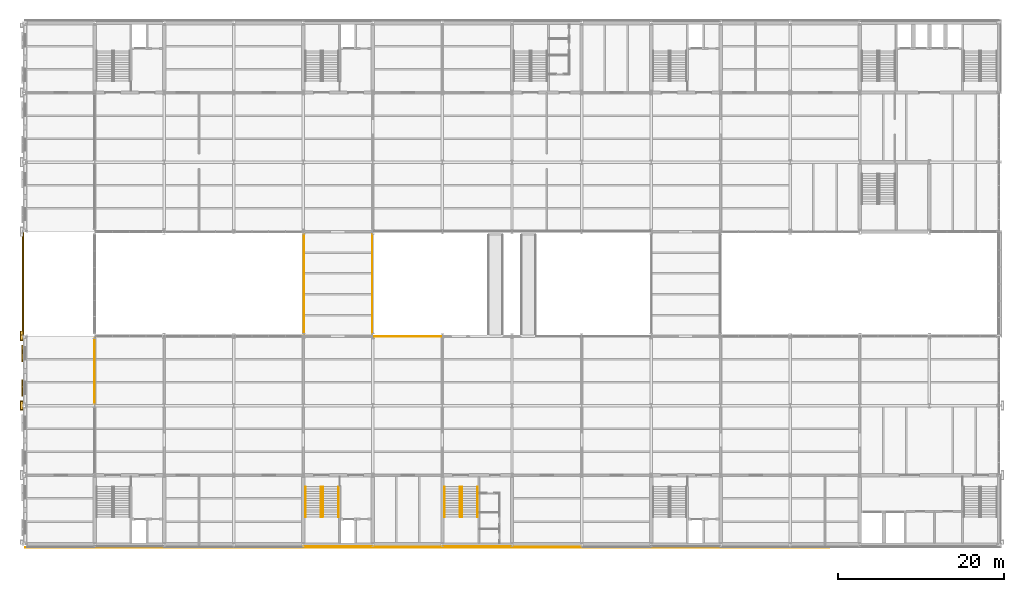
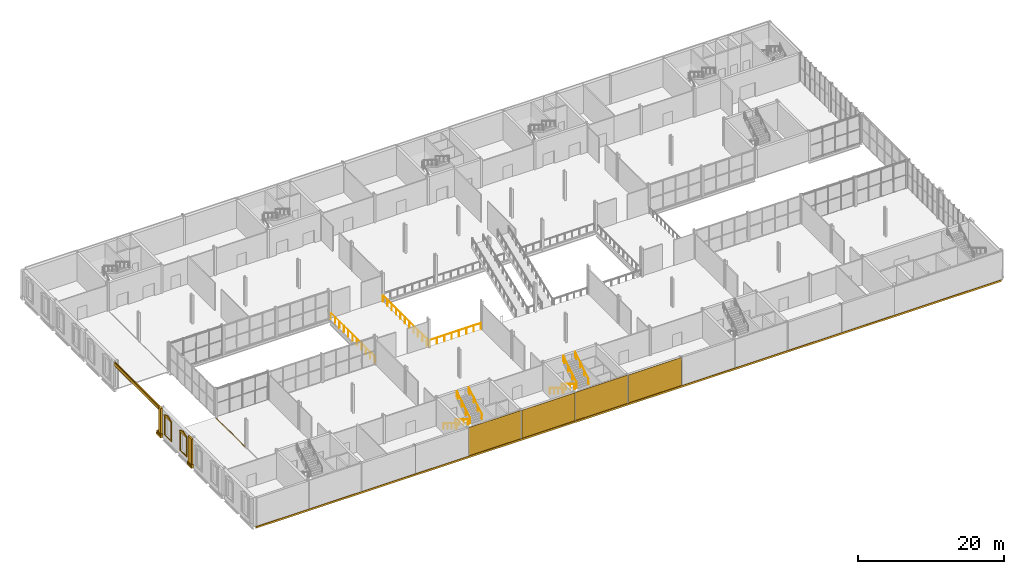
# One storey, part 46 of 61: 15 coverings, 11 railings.
"""IFC4 building model written with IfcOpenShell, lengths in metres."""

from ifc_helpers import new_model, si_unit, direction, frame, origin, origin_2d, place, context, subcontext, project, spatial, polyline, rectangle, circle, outline, extrude, material, layer, layer_set, type_object, element, save


model = new_model("IFC4")

# Units and contexts
model_context = context("Model", 3, precision=1e-05, world=origin(), true_north=direction((0.0, 1.0)))
body_context = subcontext(model_context, "Body", "Model", "MODEL_VIEW")
ifc_project = project(units=[si_unit("LENGTHUNIT", "METRE"), si_unit("AREAUNIT", "SQUARE_METRE"), si_unit("VOLUMEUNIT", "CUBIC_METRE"), si_unit("PLANEANGLEUNIT", "RADIAN"), si_unit("MASSUNIT", "GRAM", prefix="KILO")], contexts=[model_context])

# Site, building, storey
site_placement = place(None, origin())
site = spatial("IfcSite", under=ifc_project, at=site_placement, CompositionType="ELEMENT")
building_placement = place(site_placement, origin())
building = spatial("IfcBuilding", under=site, at=building_placement, Name="Galleria Vessillo Department Store", CompositionType="ELEMENT")
storey_placement = place(building_placement, frame((0.0, 0.0, 11.39990234375)))
storey = spatial("IfcBuildingStorey", under=building, at=storey_placement, Name="L02", CompositionType="ELEMENT", Elevation=11.39990234375)

# Railings
ifc_material_1 = material(Name="Stainless steel tube", Category="steel")
railing_type_1 = type_object("IfcRailingType", Name="Atrium edge guard 1100 mm", PredefinedType="GUARDRAIL", material=ifc_material_1)
railing_placement = place(storey_placement, frame((42.152587890625, 25.119873046875, 0.0)))
element("IfcRailing", 1, at=railing_placement, inside=storey, type_object=railing_type_1, Name="Atrium edge guard L02-01", PredefinedType="GUARDRAIL", context=body_context, shape_type="SweptSolid", body=[
    extrude(circle(Radius=0.02392578125, at=origin_2d()), frame((0.0, 0.0, 1.076171875), z_axis=(1.0, 0.0, 0.0), x_axis=(0.0, 1.0, 0.0)), (0.0, 0.0, 1.0), 8.094482421875),
    extrude(circle(Radius=0.02099609375, at=origin_2d()), origin(), (0.0, 0.0, 1.0), 1.052001953125),
    extrude(circle(Radius=0.02099609375, at=origin_2d()), frame((1.15625, 0.0, 0.0)), (0.0, 0.0, 1.0), 1.052001953125),
    extrude(circle(Radius=0.02099609375, at=origin_2d()), frame((2.312744140625, 0.0, 0.0)), (0.0, 0.0, 1.0), 1.052001953125),
    extrude(circle(Radius=0.02099609375, at=origin_2d()), frame((3.468994140625, 0.0, 0.0)), (0.0, 0.0, 1.0), 1.052001953125),
    extrude(circle(Radius=0.02099609375, at=origin_2d()), frame((4.62548828125, 0.0, 0.0)), (0.0, 0.0, 1.0), 1.052001953125),
    extrude(circle(Radius=0.02099609375, at=origin_2d()), frame((5.78173828125, 0.0, 0.0)), (0.0, 0.0, 1.0), 1.052001953125),
    extrude(circle(Radius=0.02099609375, at=origin_2d()), frame((6.938232421875, 0.0, 0.0)), (0.0, 0.0, 1.0), 1.052001953125),
    extrude(circle(Radius=0.02099609375, at=origin_2d()), frame((8.094482421875, 0.0, 0.0)), (0.0, 0.0, 1.0), 1.052001953125),
])
for number, where, name in (
    (2, (33.68017578125, 25.510009765625, 0.0), "Atrium edge guard L02-12"),
    (3, (41.919921875, 25.510009765625, 0.0), "Atrium edge guard L02-13"),
):
    element("IfcRailing", number, at=place(storey_placement, frame(where)), inside=storey, type_object=railing_type_1, Name=name, PredefinedType="GUARDRAIL", context=body_context, shape_type="SweptSolid", body=[
        extrude(circle(Radius=0.02392578125, at=origin_2d()), frame((0.0, 0.0, 1.076171875), z_axis=(0.0, 1.0, 0.0), x_axis=(-1.0, 0.0, 0.0)), (0.0, 0.0, 1.0), 11.97998046875),
        extrude(circle(Radius=0.02099609375, at=origin_2d()), origin(), (0.0, 0.0, 1.0), 1.052001953125),
        extrude(circle(Radius=0.02099609375, at=origin_2d()), frame((0.0, 1.197998046875, 0.0)), (0.0, 0.0, 1.0), 1.052001953125),
        extrude(circle(Radius=0.02099609375, at=origin_2d()), frame((0.0, 2.39599609375, 0.0)), (0.0, 0.0, 1.0), 1.052001953125),
        extrude(circle(Radius=0.02099609375, at=origin_2d()), frame((0.0, 3.593994140625, 0.0)), (0.0, 0.0, 1.0), 1.052001953125),
        extrude(circle(Radius=0.02099609375, at=origin_2d()), frame((0.0, 4.7919921875, 0.0)), (0.0, 0.0, 1.0), 1.052001953125),
        extrude(circle(Radius=0.02099609375, at=origin_2d()), frame((0.0, 5.989990234375, 0.0)), (0.0, 0.0, 1.0), 1.052001953125),
        extrude(circle(Radius=0.02099609375, at=origin_2d()), frame((0.0, 7.18798828125, 0.0)), (0.0, 0.0, 1.0), 1.052001953125),
        extrude(circle(Radius=0.02099609375, at=origin_2d()), frame((0.0, 8.385986328125, 0.0)), (0.0, 0.0, 1.0), 1.052001953125),
        extrude(circle(Radius=0.02099609375, at=origin_2d()), frame((0.0, 9.583984375, 0.0)), (0.0, 0.0, 1.0), 1.052001953125),
        extrude(circle(Radius=0.02099609375, at=origin_2d()), frame((0.0, 10.781982421875, 0.0)), (0.0, 0.0, 1.0), 1.052001953125),
        extrude(circle(Radius=0.02099609375, at=origin_2d()), frame((0.0, 11.97998046875, 0.0)), (0.0, 0.0, 1.0), 1.052001953125),
    ])

# Coverings
ifc_material_2 = material(Name="Lime plaster (intonaco) ochre")
ifc_layer_1 = layer(ifc_material_2, 0.030029296875)
ifc_layer_set_1 = layer_set([ifc_layer_1], Name="Lime plaster (intonaco) ochre")
covering_type_1 = type_object("IfcCoveringType", Name="Lime plaster render 30 mm", PredefinedType="CLADDING", material=ifc_layer_set_1)
covering_1_placement = place(storey_placement, frame((37.800048828125, -0.215087890625, 0.0), z_axis=(0.0, 0.0, 1.0), x_axis=(1.0, 0.0, 0.0)))
element("IfcCovering", 4, at=covering_1_placement, inside=storey, type_object=covering_type_1, Name="Wall cladding S-CW-PC-SM-PARTY-L02", PredefinedType="CLADDING", context=body_context, shape_type="SweptSolid", body=[
    extrude(rectangle(XDim=8.33984375, YDim=0.030029296875, at=origin_2d()), origin(), (0.0, 0.0, 1.0), 4.800048828125),
])
for number, where, z_axis, x_axis, name in (
    (5, (46.199951171875, -0.264892578125, 0.0), (0.0, 0.0, 1.0), (1.0, 0.0, 0.0), "Wall cladding S-PS-L02-04"),
    (6, (54.599853515625, -0.215087890625, 0.0), (0.0, 0.0, 1.0), (1.0, 0.0, 0.0), "Wall cladding S-CW-PC-SC-PARTY-L02"),
    (7, (63.0, -0.264892578125, 0.0), (0.0, 0.0, 1.0), (1.0, 0.0, 0.0), "Wall cladding S-PS-L02-05"),
):
    element("IfcCovering", number, at=place(storey_placement, frame(where, z_axis=z_axis, x_axis=x_axis)), inside=storey, type_object=covering_type_1, Name=name, PredefinedType="CLADDING", context=body_context, shape_type="SweptSolid", body=[
        extrude(rectangle(XDim=8.340087890625, YDim=0.030029296875, at=origin_2d()), origin(), (0.0, 0.0, 1.0), 4.800048828125),
    ])
ifc_material_3 = material(Name="Botticino limestone ashlar", Category="masonry")
ifc_layer_2 = layer(ifc_material_3, 0.080078125)
ifc_layer_set_2 = layer_set([ifc_layer_2], Name="Botticino limestone ashlar")
covering_type_2 = type_object("IfcCoveringType", Name="Limestone flank string course 300 x 80", PredefinedType="MOLDING", material=ifc_layer_set_2)
covering_2_placement = place(storey_placement, frame((117.60009765625, 0.0, -0.14990234375), z_axis=(-1.0, 0.0, 0.0), x_axis=(0.0, -1.0, 0.0)))
element("IfcCovering", 8, at=covering_2_placement, inside=storey, type_object=covering_type_2, Name="Flank string course S L02", PredefinedType="MOLDING", context=body_context, shape_type="SweptSolid", body=[
    extrude(outline(polyline([(0.280029296875, 0.0), (0.360107421875, 0.0), (0.360107421875, 0.300048828125), (0.280029296875, 0.300048828125), (0.280029296875, 0.0)])), origin(), (0.0, 0.0, 1.0), 117.60009765625),
])
ifc_material_4 = material(Name="Botticino limestone ashlar", Category="masonry")
ifc_layer_3 = layer(ifc_material_4, 0.280029296875)
ifc_layer_set_3 = layer_set([ifc_layer_3], Name="Botticino limestone ashlar")
covering_type_3 = type_object("IfcCoveringType", Name="Limestone giant pilaster 1000 x 280", PredefinedType="CLADDING", material=ifc_layer_set_3)
covering_3_placement = place(storey_placement, frame((-0.389892578125, 16.800048828125, 0.60009765625), z_axis=(0.0, 0.0, 1.0), x_axis=(1.0, 0.0, 0.0)))
element("IfcCovering", 9, at=covering_3_placement, inside=storey, type_object=covering_type_3, Name="Giant pilaster W L02 y=16.8", PredefinedType="CLADDING", context=body_context, shape_type="SweptSolid", body=[
    extrude(rectangle(XDim=0.280029296875, YDim=1.0, at=origin_2d()), origin(), (0.0, 0.0, 1.0), 4.199951171875),
])
covering_4_placement = place(storey_placement, frame((-0.389892578125, 25.02490234375, 0.60009765625), z_axis=(0.0, 0.0, 1.0), x_axis=(1.0, 0.0, 0.0)))
element("IfcCovering", 10, at=covering_4_placement, inside=storey, type_object=covering_type_3, Name="Giant pilaster W L02 y=25.2", PredefinedType="CLADDING", context=body_context, shape_type="SweptSolid", body=[
    extrude(rectangle(XDim=0.280029296875, YDim=0.64990234375, at=origin_2d()), origin(), (0.0, 0.0, 1.0), 4.199951171875),
])
ifc_material_5 = material(Name="Botticino limestone ashlar", Category="masonry")
ifc_layer_4 = layer(ifc_material_5, 0.360107421875)
ifc_layer_set_4 = layer_set([ifc_layer_4], Name="Botticino limestone ashlar")
covering_type_4 = type_object("IfcCoveringType", Name="Limestone pilaster base 1200 x 360 x 600", PredefinedType="CLADDING", material=ifc_layer_set_4)
for number, where, z_axis, x_axis, name in (
    (11, (0.0, 16.199951171875, 0.0), (0.0, 1.0, 0.0), (-1.0, 0.0, 0.0), "Pilaster base W y=16.8"),
    (12, (0.0, 24.599853515625, 0.0), (0.0, 1.0, 0.0), (-1.0, 0.0, 0.0), "Pilaster base W y=25.2"),
):
    element("IfcCovering", number, at=place(storey_placement, frame(where, z_axis=z_axis, x_axis=x_axis)), inside=storey, type_object=covering_type_4, Name=name, PredefinedType="CLADDING", context=body_context, shape_type="SweptSolid", body=[
        extrude(outline(polyline([(0.25, 0.0), (0.610107421875, 0.0), (0.610107421875, 0.280029296875), (0.56005859375, 0.340087890625), (0.56005859375, 0.52001953125), (0.530029296875, 0.60009765625), (0.25, 0.60009765625), (0.25, 0.0)])), origin(), (0.0, 0.0, 1.0), 1.199951171875),
    ])
ifc_material_6 = material(Name="Botticino limestone ashlar", Category="masonry")
ifc_layer_5 = layer(ifc_material_6, 0.179931640625)
ifc_layer_set_5 = layer_set([ifc_layer_5], Name="Botticino limestone ashlar")
covering_type_5 = type_object("IfcCoveringType", Name="Limestone portal head architrave 180 x 720", PredefinedType="MOLDING", material=ifc_layer_set_5)
covering_5_placement = place(storey_placement, frame((0.0, 25.207275390625, 3.934326171875), z_axis=(0.0, 1.0, 0.0), x_axis=(-1.0, 0.0, 0.0)))
element("IfcCovering", 13, at=covering_5_placement, inside=storey, type_object=covering_type_5, Name="Portal head architrave west", PredefinedType="MOLDING", context=body_context, shape_type="SweptSolid", body=[
    extrude(outline(polyline([(0.152099609375, 0.0), (0.2919921875, 0.0), (0.2919921875, 0.06005859375), (0.33203125, 0.1201171875), (0.33203125, 0.575927734375), (0.2919921875, 0.635986328125), (0.2919921875, 0.716064453125), (0.152099609375, 0.716064453125), (0.152099609375, 0.0)])), origin(), (0.0, 0.0, 1.0), 12.58544921875),
])
ifc_material_7 = material(Name="Botticino limestone ashlar", Category="masonry")
ifc_layer_6 = layer(ifc_material_7, 0.14990234375)
ifc_layer_set_6 = layer_set([ifc_layer_6], Name="Botticino limestone ashlar")
covering_type_6 = type_object("IfcCoveringType", Name="Limestone slab-edge fascia 150 mm", PredefinedType="CLADDING", material=ifc_layer_set_6)
covering_6_placement = place(storey_placement, frame((8.369873046875, 20.9580078125, -0.14990234375), z_axis=(0.0, 0.0, 1.0), x_axis=(1.0, 0.0, 0.0)))
element("IfcCovering", 14, at=covering_6_placement, inside=storey, type_object=covering_type_6, Name="Slab-edge fascia LB-L01-02", PredefinedType="CLADDING", context=body_context, shape_type="SweptSolid", body=[
    extrude(rectangle(XDim=0.06005859375, YDim=7.81591796875, at=origin_2d()), origin(), (0.0, 0.0, 1.0), 0.14990234375),
])
ifc_material_8 = material(Name="Botticino limestone ashlar", Category="masonry")
ifc_layer_7 = layer(ifc_material_8, 0.14990234375)
ifc_layer_set_7 = layer_set([ifc_layer_7], Name="Botticino limestone ashlar")
covering_type_7 = type_object("IfcCoveringType", Name="Limestone window pediment 150 mm", PredefinedType="USERDEFINED", material=ifc_layer_set_7)
for number, where, z_axis, x_axis, name in (
    (15, (-0.324951171875, 17.89990234375, 4.02001953125), (0.0, 0.0, 1.0), (0.0, 1.0, 0.0), "Window pediment W005"),
    (16, (-0.324951171875, 22.10009765625, 4.02001953125), (0.0, 0.0, 1.0), (0.0, 1.0, 0.0), "Window pediment W006"),
):
    element("IfcCovering", number, at=place(storey_placement, frame(where, z_axis=z_axis, x_axis=x_axis)), inside=storey, type_object=covering_type_7, Name=name, ObjectType="WINDOW PEDIMENT", PredefinedType="USERDEFINED", context=body_context, shape_type="SweptSolid", body=[
        extrude(outline(polyline([(0.0, 0.0), (2.0, 0.0), (2.0, 0.119873046875), (1.0, 0.52001953125), (0.0, 0.119873046875), (0.0, 0.0)])), frame((0.0, 0.074951171875, 0.0), z_axis=(0.0, -1.0, 0.0), x_axis=(1.0, 0.0, 0.0)), (0.0, 0.0, 1.0), 0.14990234375),
    ])
ifc_material_9 = material(Name="Botticino limestone ashlar", Category="masonry")
ifc_layer_8 = layer(ifc_material_9, 0.10009765625)
ifc_layer_set_8 = layer_set([ifc_layer_8], Name="Botticino limestone ashlar")
covering_type_8 = type_object("IfcCoveringType", Name="Limestone window surround 100 mm", PredefinedType="CLADDING", material=ifc_layer_set_8)
covering_7_placement = place(storey_placement, frame((-0.25, 0.0, 0.89990234375), z_axis=(-1.0, 0.0, 0.0), x_axis=(0.0, -1.0, 0.0)))
element("IfcCovering", 17, at=covering_7_placement, inside=storey, type_object=covering_type_8, Name="Window surround W005", PredefinedType="CLADDING", context=body_context, shape_type="SweptSolid", body=[
    extrude(outline(polyline([(-17.929931640625, 3.1201171875), (-19.869873046875, 3.1201171875), (-19.869873046875, -0.139892578125), (-17.929931640625, -0.139892578125), (-17.929931640625, 3.1201171875)]), holes=[polyline([(-18.14990234375, 3.0), (-19.64990234375, 3.0), (-19.64990234375, 0.0), (-18.14990234375, 0.0), (-18.14990234375, 3.0)])]), origin(), (0.0, 0.0, 1.0), 0.10009765625),
])
covering_8_placement = place(storey_placement, frame((-0.25, 0.0, 0.89990234375), z_axis=(-1.0, 0.0, 0.0), x_axis=(0.0, -1.0, 0.0)))
element("IfcCovering", 18, at=covering_8_placement, inside=storey, type_object=covering_type_8, Name="Window surround W006", PredefinedType="CLADDING", context=body_context, shape_type="SweptSolid", body=[
    extrude(outline(polyline([(-22.130126953125, 3.1201171875), (-24.070068359375, 3.1201171875), (-24.070068359375, -0.139892578125), (-22.130126953125, -0.139892578125), (-22.130126953125, 3.1201171875)]), holes=[polyline([(-22.35009765625, 3.0), (-23.85009765625, 3.0), (-23.85009765625, 0.0), (-22.35009765625, 0.0), (-22.35009765625, 3.0)])]), origin(), (0.0, 0.0, 1.0), 0.10009765625),
])

# Railings
ifc_material_10 = material(Name="Stainless steel tube", Category="steel")
railing_type_2 = type_object("IfcRailingType", Name="Stair handrail steel tube 48 mm", PredefinedType="HANDRAIL", material=ifc_material_10)
for number, where, name in (
    (19, (35.739990234375, 7.0, 0.17138671875), "Handrail ST3 L02 flight 1A"),
    (20, (33.860107421875, 7.0, 0.17138671875), "Handrail ST3 L02 flight 1B"),
):
    element("IfcRailing", number, at=place(storey_placement, frame(where)), inside=storey, type_object=railing_type_2, Name=name, PredefinedType="HANDRAIL", context=body_context, shape_type="SweptSolid", body=[
        extrude(circle(Radius=0.02392578125, at=origin_2d()), frame((0.0, 0.0, 0.89599609375), z_axis=(0.0, -0.852849614702, 0.52215661894), x_axis=(1.0, 0.0, 0.0)), (0.0, 0.0, 1.0), 1.3134765625),
        extrude(circle(Radius=0.02392578125, at=origin_2d()), frame((0.0, -1.1201171875, 1.58154296875), z_axis=(0.0, -0.852798921012, 0.522239409008), x_axis=(1.0, 0.0, 0.0)), (0.0, 0.0, 1.0), 1.313232421875),
        extrude(circle(Radius=0.02392578125, at=origin_2d()), frame((0.0, -2.239990234375, 2.267578125), z_axis=(0.0, -0.852932391421, 0.522021393877), x_axis=(1.0, 0.0, 0.0)), (0.0, 0.0, 1.0), 1.313232421875),
        extrude(circle(Radius=0.02392578125, at=origin_2d()), frame((0.0, -3.360107421875, 2.953125), z_axis=(0.0, -0.852729557261, 0.522352660731), x_axis=(1.0, 0.0, 0.0)), (0.0, 0.0, 1.0), 0.328125),
        extrude(circle(Radius=0.02099609375, at=origin_2d()), origin(), (0.0, 0.0, 1.0), 0.871826171875),
        extrude(circle(Radius=0.02099609375, at=origin_2d()), frame((0.0, -1.1201171875, 0.685791015625)), (0.0, 0.0, 1.0), 0.871826171875),
        extrude(circle(Radius=0.02099609375, at=origin_2d()), frame((0.0, -2.239990234375, 1.37158203125)), (0.0, 0.0, 1.0), 0.871826171875),
        extrude(circle(Radius=0.02099609375, at=origin_2d()), frame((0.0, -3.360107421875, 2.05712890625)), (0.0, 0.0, 1.0), 0.871826171875),
        extrude(circle(Radius=0.02099609375, at=origin_2d()), frame((0.0, -3.639892578125, 2.228515625)), (0.0, 0.0, 1.0), 0.871826171875),
    ])
for number, where, name in (
    (21, (35.9599609375, 3.360107421875, 2.571533203125), "Handrail ST3 L02 flight 2A"),
    (22, (37.83984375, 3.360107421875, 2.571533203125), "Handrail ST3 L02 flight 2B"),
):
    element("IfcRailing", number, at=place(storey_placement, frame(where)), inside=storey, type_object=railing_type_2, Name=name, PredefinedType="HANDRAIL", context=body_context, shape_type="SweptSolid", body=[
        extrude(circle(Radius=0.02392578125, at=origin_2d()), frame((0.0, 0.0, 0.89599609375), z_axis=(0.0, 0.852849614702, 0.52215661894), x_axis=(-1.0, 0.0, 0.0)), (0.0, 0.0, 1.0), 1.3134765625),
        extrude(circle(Radius=0.02392578125, at=origin_2d()), frame((0.0, 1.1201171875, 1.58154296875), z_axis=(0.0, 0.852798921012, 0.522239409008), x_axis=(-1.0, 0.0, 0.0)), (0.0, 0.0, 1.0), 1.313232421875),
        extrude(circle(Radius=0.02392578125, at=origin_2d()), frame((0.0, 2.239990234375, 2.267578125), z_axis=(0.0, 0.852932391421, 0.522021393877), x_axis=(-1.0, 0.0, 0.0)), (0.0, 0.0, 1.0), 1.313232421875),
        extrude(circle(Radius=0.02392578125, at=origin_2d()), frame((0.0, 3.360107421875, 2.953125), z_axis=(0.0, 0.852729557261, 0.522352660731), x_axis=(-1.0, 0.0, 0.0)), (0.0, 0.0, 1.0), 0.328125),
        extrude(circle(Radius=0.02099609375, at=origin_2d()), origin(), (0.0, 0.0, 1.0), 0.871826171875),
        extrude(circle(Radius=0.02099609375, at=origin_2d()), frame((0.0, 1.1201171875, 0.685791015625)), (0.0, 0.0, 1.0), 0.871826171875),
        extrude(circle(Radius=0.02099609375, at=origin_2d()), frame((0.0, 2.239990234375, 1.37158203125)), (0.0, 0.0, 1.0), 0.871826171875),
        extrude(circle(Radius=0.02099609375, at=origin_2d()), frame((0.0, 3.360107421875, 2.05712890625)), (0.0, 0.0, 1.0), 0.871826171875),
        extrude(circle(Radius=0.02099609375, at=origin_2d()), frame((0.0, 3.639892578125, 2.228515625)), (0.0, 0.0, 1.0), 0.871826171875),
    ])
for number, where, name in (
    (23, (52.5400390625, 7.0, 0.17138671875), "Handrail ST10 L02 flight 1A"),
    (24, (50.66015625, 7.0, 0.17138671875), "Handrail ST10 L02 flight 1B"),
):
    element("IfcRailing", number, at=place(storey_placement, frame(where)), inside=storey, type_object=railing_type_2, Name=name, PredefinedType="HANDRAIL", context=body_context, shape_type="SweptSolid", body=[
        extrude(circle(Radius=0.02392578125, at=origin_2d()), frame((0.0, 0.0, 0.89599609375), z_axis=(0.0, -0.852849614702, 0.52215661894), x_axis=(1.0, 0.0, 0.0)), (0.0, 0.0, 1.0), 1.3134765625),
        extrude(circle(Radius=0.02392578125, at=origin_2d()), frame((0.0, -1.1201171875, 1.58154296875), z_axis=(0.0, -0.852798921012, 0.522239409008), x_axis=(1.0, 0.0, 0.0)), (0.0, 0.0, 1.0), 1.313232421875),
        extrude(circle(Radius=0.02392578125, at=origin_2d()), frame((0.0, -2.239990234375, 2.267578125), z_axis=(0.0, -0.852932391421, 0.522021393877), x_axis=(1.0, 0.0, 0.0)), (0.0, 0.0, 1.0), 1.313232421875),
        extrude(circle(Radius=0.02392578125, at=origin_2d()), frame((0.0, -3.360107421875, 2.953125), z_axis=(0.0, -0.852729557261, 0.522352660731), x_axis=(1.0, 0.0, 0.0)), (0.0, 0.0, 1.0), 0.328125),
        extrude(circle(Radius=0.02099609375, at=origin_2d()), origin(), (0.0, 0.0, 1.0), 0.871826171875),
        extrude(circle(Radius=0.02099609375, at=origin_2d()), frame((0.0, -1.1201171875, 0.685791015625)), (0.0, 0.0, 1.0), 0.871826171875),
        extrude(circle(Radius=0.02099609375, at=origin_2d()), frame((0.0, -2.239990234375, 1.37158203125)), (0.0, 0.0, 1.0), 0.871826171875),
        extrude(circle(Radius=0.02099609375, at=origin_2d()), frame((0.0, -3.360107421875, 2.05712890625)), (0.0, 0.0, 1.0), 0.871826171875),
        extrude(circle(Radius=0.02099609375, at=origin_2d()), frame((0.0, -3.639892578125, 2.228515625)), (0.0, 0.0, 1.0), 0.871826171875),
    ])
for number, where, name in (
    (25, (52.760009765625, 3.360107421875, 2.571533203125), "Handrail ST10 L02 flight 2A"),
    (26, (54.639892578125, 3.360107421875, 2.571533203125), "Handrail ST10 L02 flight 2B"),
):
    element("IfcRailing", number, at=place(storey_placement, frame(where)), inside=storey, type_object=railing_type_2, Name=name, PredefinedType="HANDRAIL", context=body_context, shape_type="SweptSolid", body=[
        extrude(circle(Radius=0.02392578125, at=origin_2d()), frame((0.0, 0.0, 0.89599609375), z_axis=(0.0, 0.852849614702, 0.52215661894), x_axis=(-1.0, 0.0, 0.0)), (0.0, 0.0, 1.0), 1.3134765625),
        extrude(circle(Radius=0.02392578125, at=origin_2d()), frame((0.0, 1.1201171875, 1.58154296875), z_axis=(0.0, 0.852798921012, 0.522239409008), x_axis=(-1.0, 0.0, 0.0)), (0.0, 0.0, 1.0), 1.313232421875),
        extrude(circle(Radius=0.02392578125, at=origin_2d()), frame((0.0, 2.239990234375, 2.267578125), z_axis=(0.0, 0.852932391421, 0.522021393877), x_axis=(-1.0, 0.0, 0.0)), (0.0, 0.0, 1.0), 1.313232421875),
        extrude(circle(Radius=0.02392578125, at=origin_2d()), frame((0.0, 3.360107421875, 2.953125), z_axis=(0.0, 0.852729557261, 0.522352660731), x_axis=(-1.0, 0.0, 0.0)), (0.0, 0.0, 1.0), 0.328125),
        extrude(circle(Radius=0.02099609375, at=origin_2d()), origin(), (0.0, 0.0, 1.0), 0.871826171875),
        extrude(circle(Radius=0.02099609375, at=origin_2d()), frame((0.0, 1.1201171875, 0.685791015625)), (0.0, 0.0, 1.0), 0.871826171875),
        extrude(circle(Radius=0.02099609375, at=origin_2d()), frame((0.0, 2.239990234375, 1.37158203125)), (0.0, 0.0, 1.0), 0.871826171875),
        extrude(circle(Radius=0.02099609375, at=origin_2d()), frame((0.0, 3.360107421875, 2.05712890625)), (0.0, 0.0, 1.0), 0.871826171875),
        extrude(circle(Radius=0.02099609375, at=origin_2d()), frame((0.0, 3.639892578125, 2.228515625)), (0.0, 0.0, 1.0), 0.871826171875),
    ])

save(model, "model.ifc")
